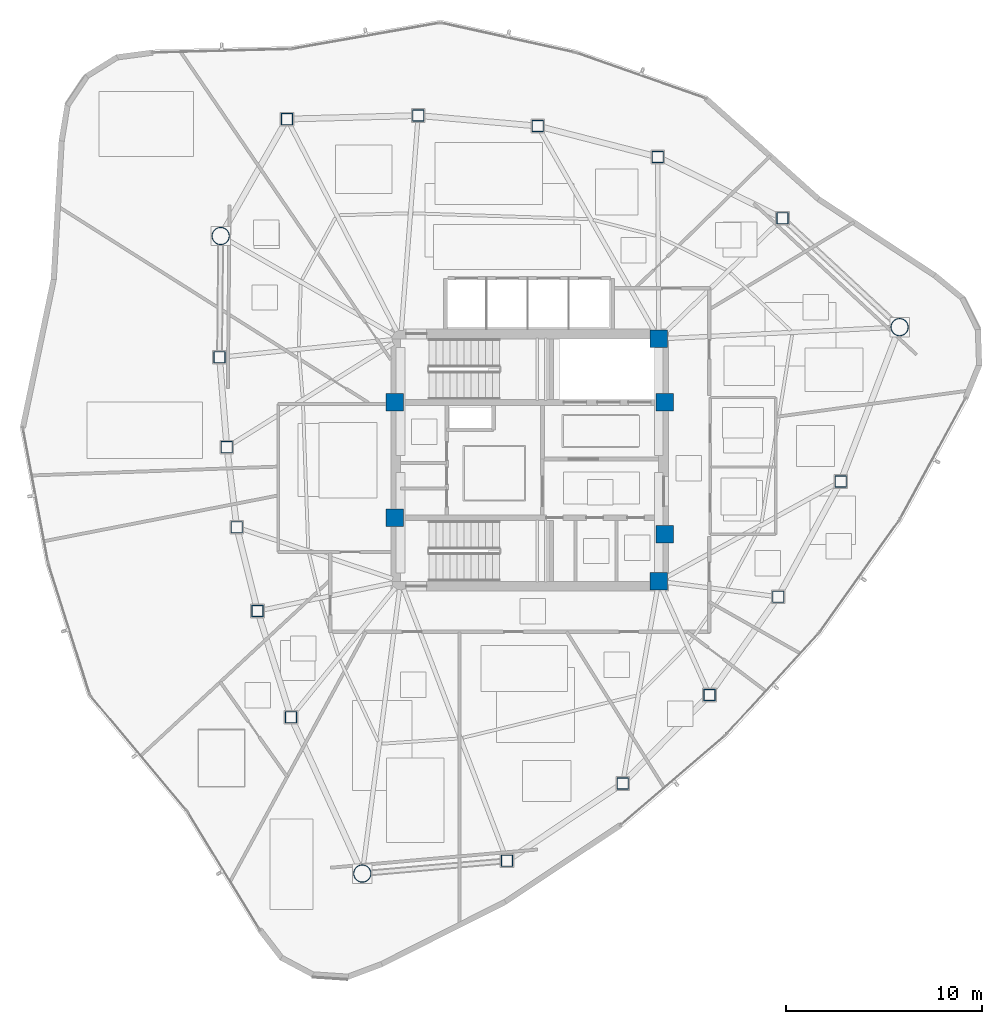
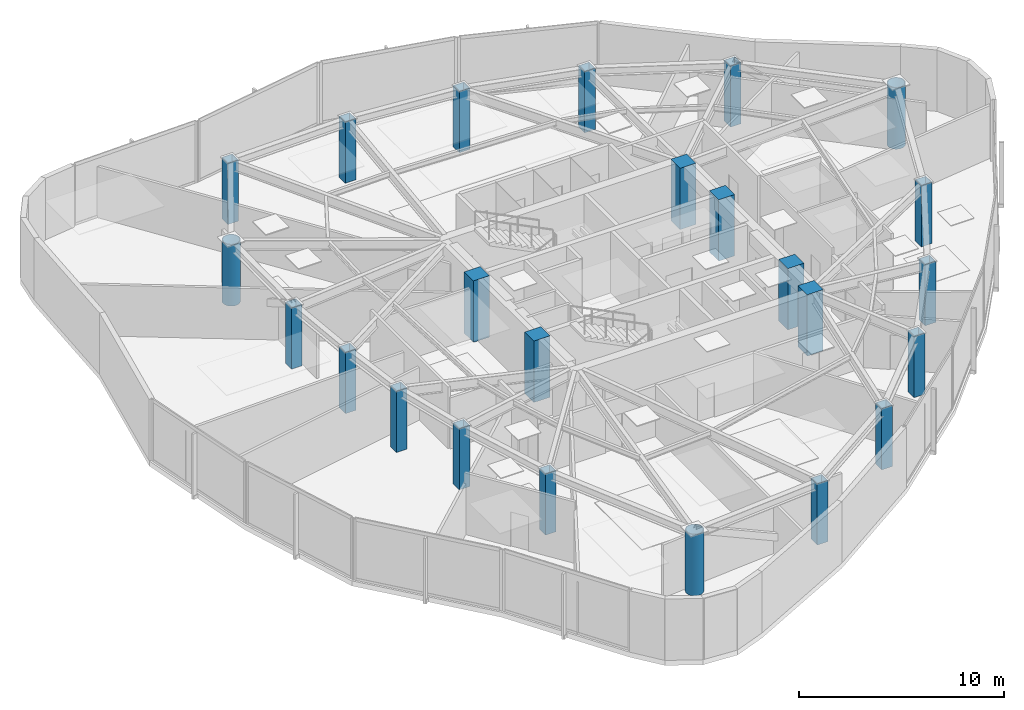
# One storey, part 1 of 13: 24 columns.
"""IFC4 building model written with IfcOpenShell, lengths in metres."""

from ifc_helpers import new_model, si_unit, direction, frame, origin, origin_2d, place, context, subcontext, project, spatial, rectangle, hollow_rectangle, hollow_circle, extrude, material, material_profile, profile_set, type_object, element, save


model = new_model("IFC4")

# Units and contexts
model_context = context("Model", 3, precision=1e-05, world=origin(), true_north=direction((0.0, 1.0)))
body_context = subcontext(model_context, "Body", "Model", "MODEL_VIEW")
ifc_project = project(units=[si_unit("LENGTHUNIT", "METRE"), si_unit("AREAUNIT", "SQUARE_METRE"), si_unit("VOLUMEUNIT", "CUBIC_METRE"), si_unit("PLANEANGLEUNIT", "RADIAN"), si_unit("MASSUNIT", "GRAM", prefix="KILO")], contexts=[model_context])

# Site, building, storey
site_placement = place(None, origin())
site = spatial("IfcSite", under=ifc_project, at=site_placement, CompositionType="ELEMENT")
building_placement = place(site_placement, origin())
building = spatial("IfcBuilding", under=site, at=building_placement, Name="Tavelor Broadcast Tower", CompositionType="ELEMENT")
storey_placement = place(building_placement, frame((0.0, 0.0, 226.10009765625)))
storey = spatial("IfcBuildingStorey", under=building, at=storey_placement, Name="L53", CompositionType="ELEMENT", Elevation=226.10009765625)

# Columns
ifc_material_1 = material(Name="Concrete C50/60", Category="concrete")
ifc_material_profile_1 = material_profile(ifc_material_1, rectangle(XDim=0.89990234375, YDim=0.89990234375, at=origin_2d()), Name="RC 900x900")
ifc_profile_set_1 = profile_set([ifc_material_profile_1], Name="Concrete C50/60")
column_type_1 = type_object("IfcColumnType", Name="Core Embedded Composite Column RC900", PredefinedType="COLUMN", material=ifc_profile_set_1)
for number, where, z_axis, x_axis, name in (
    (1, (43.10009765625, 47.949951171875, 0.0), (0.0, 0.0, 1.0), (1.0, 0.0, 0.0), "L53 Core Embedded Column 1"),
    (2, (56.89990234375, 47.949951171875, 0.0), (0.0, 0.0, 1.0), (1.0, 0.0, 0.0), "L53 Core Embedded Column 2"),
    (3, (56.60009765625, 51.199951171875, 0.0), (0.0, 0.0, 1.0), (1.0, 0.0, 0.0), "L53 Core Embedded Column 3"),
    (4, (43.10009765625, 42.050048828125, 0.0), (0.0, 0.0, 1.0), (1.0, 0.0, 0.0), "L53 Core Embedded Column 4"),
    (5, (56.89990234375, 41.199951171875, 0.0), (0.0, 0.0, 1.0), (1.0, 0.0, 0.0), "L53 Core Embedded Column 5"),
    (6, (56.60009765625, 38.800048828125, 0.0), (0.0, 0.0, 1.0), (1.0, 0.0, 0.0), "L53 Core Embedded Column 6"),
):
    element("IfcColumn", number, at=place(storey_placement, frame(where, z_axis=z_axis, x_axis=x_axis)), inside=storey, type_object=column_type_1, Name=name, PredefinedType="COLUMN", context=body_context, shape_type="SweptSolid", body=[
        extrude(rectangle(XDim=0.89990234375, YDim=0.89990234375, at=origin_2d()), origin(), (0.0, 0.0, 1.0), 3.64990234375),
    ])
ifc_material_2 = material(Name="Steel S460", Category="steel")
ifc_material_profile_2 = material_profile(ifc_material_2, hollow_rectangle(XDim=0.60009765625, YDim=0.60009765625, WallThickness=0.035888671875, at=origin_2d()), Name="SHS 600x600x36")
ifc_profile_set_2 = profile_set([ifc_material_profile_2], Name="Steel S460")
column_type_2 = type_object("IfcColumnType", Name="Perimeter Tube Column T5 SHS 600x600x36", PredefinedType="COLUMN", material=ifc_profile_set_2)
for number, where, z_axis, x_axis, name in (
    (7, (34.13720703125, 50.255859375, 0.0), (0.0, 0.0, 1.0), (1.0, 0.0, 0.0), "L53 Perimeter Framed-Tube Column 02"),
    (8, (34.513671875, 45.66455078125, 0.0), (0.0, 0.0, 1.0), (1.0, 0.0, 0.0), "L53 Perimeter Framed-Tube Column 03"),
    (9, (35.018798828125, 41.56396484375, 0.0), (0.0, 0.0, 1.0), (1.0, 0.0, 0.0), "L53 Perimeter Framed-Tube Column 04"),
    (10, (36.08349609375, 37.2822265625, 0.0), (0.0, 0.0, 1.0), (1.0, 0.0, 0.0), "L53 Perimeter Framed-Tube Column 05"),
    (11, (37.797119140625, 31.853271484375, 0.0), (0.0, 0.0, 1.0), (1.0, 0.0, 0.0), "L53 Perimeter Framed-Tube Column 06"),
    (12, (48.843994140625, 24.5048828125, 0.0), (0.0, 0.0, 1.0), (1.0, 0.0, 0.0), "L53 Perimeter Framed-Tube Column 08"),
    (13, (54.754150390625, 28.461669921875, 0.0), (0.0, 0.0, 1.0), (1.0, 0.0, 0.0), "L53 Perimeter Framed-Tube Column 09"),
    (14, (59.1923828125, 32.987060546875, 0.0), (0.0, 0.0, 1.0), (1.0, 0.0, 0.0), "L53 Perimeter Framed-Tube Column 10"),
    (15, (62.7109375, 38.009033203125, 0.0), (0.0, 0.0, 1.0), (1.0, 0.0, 0.0), "L53 Perimeter Framed-Tube Column 11"),
    (16, (65.9072265625, 43.909423828125, 0.0), (0.0, 0.0, 1.0), (1.0, 0.0, 0.0), "L53 Perimeter Framed-Tube Column 12"),
    (17, (62.92724609375, 57.364013671875, 0.0), (0.0, 0.0, 1.0), (1.0, 0.0, 0.0), "L53 Perimeter Framed-Tube Column 14"),
    (18, (56.545654296875, 60.504150390625, 0.0), (0.0, 0.0, 1.0), (1.0, 0.0, 0.0), "L53 Perimeter Framed-Tube Column 15"),
    (19, (50.4072265625, 62.0849609375, 0.0), (0.0, 0.0, 1.0), (1.0, 0.0, 0.0), "L53 Perimeter Framed-Tube Column 16"),
    (20, (44.298828125, 62.621337890625, 0.0), (0.0, 0.0, 1.0), (1.0, 0.0, 0.0), "L53 Perimeter Framed-Tube Column 17"),
    (21, (37.5908203125, 62.439208984375, 0.0), (0.0, 0.0, 1.0), (1.0, 0.0, 0.0), "L53 Perimeter Framed-Tube Column 18"),
):
    element("IfcColumn", number, at=place(storey_placement, frame(where, z_axis=z_axis, x_axis=x_axis)), inside=storey, type_object=column_type_2, Name=name, PredefinedType="COLUMN", context=body_context, shape_type="SweptSolid", body=[
        extrude(hollow_rectangle(XDim=0.60009765625, YDim=0.60009765625, WallThickness=0.035888671875, at=origin_2d()), origin(), (0.0, 0.0, 1.0), 3.64990234375),
    ])
ifc_material_profile_3 = material_profile(ifc_material_2, hollow_circle(Radius=0.45703125, WallThickness=0.0400390625, at=origin_2d()), Name="CHS 914x40")
ifc_profile_set_3 = profile_set([ifc_material_profile_3], Name="Steel S460")
column_type_3 = type_object("IfcColumnType", Name="Tower Mega Column T5 CHS 914x40", PredefinedType="COLUMN", material=ifc_profile_set_3)
for number, where, z_axis, x_axis, name in (
    (22, (34.1962890625, 56.4599609375, 0.0), (0.0, 0.0, 1.0), (1.0, 0.0, 0.0), "L53 Tower Corner Mega Column 01"),
    (23, (41.440185546875, 23.853759765625, 0.0), (0.0, 0.0, 1.0), (1.0, 0.0, 0.0), "L53 Tower Corner Mega Column 07"),
    (24, (68.919677734375, 51.799072265625, 0.0), (0.0, 0.0, 1.0), (1.0, 0.0, 0.0), "L53 Tower Corner Mega Column 13"),
):
    element("IfcColumn", number, at=place(storey_placement, frame(where, z_axis=z_axis, x_axis=x_axis)), inside=storey, type_object=column_type_3, Name=name, PredefinedType="COLUMN", context=body_context, shape_type="SweptSolid", body=[
        extrude(hollow_circle(Radius=0.45703125, WallThickness=0.0400390625, at=origin_2d()), origin(), (0.0, 0.0, 1.0), 3.64990234375),
    ])

save(model, "model.ifc")
